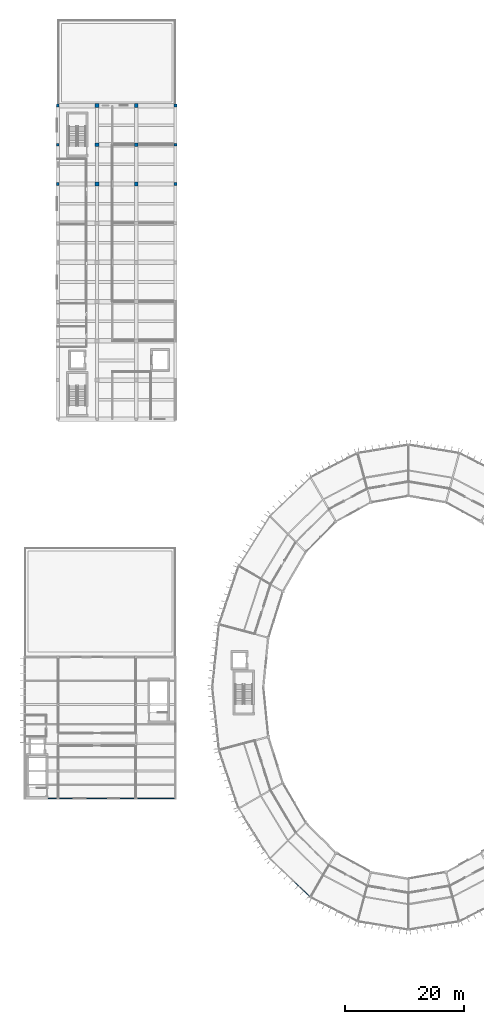
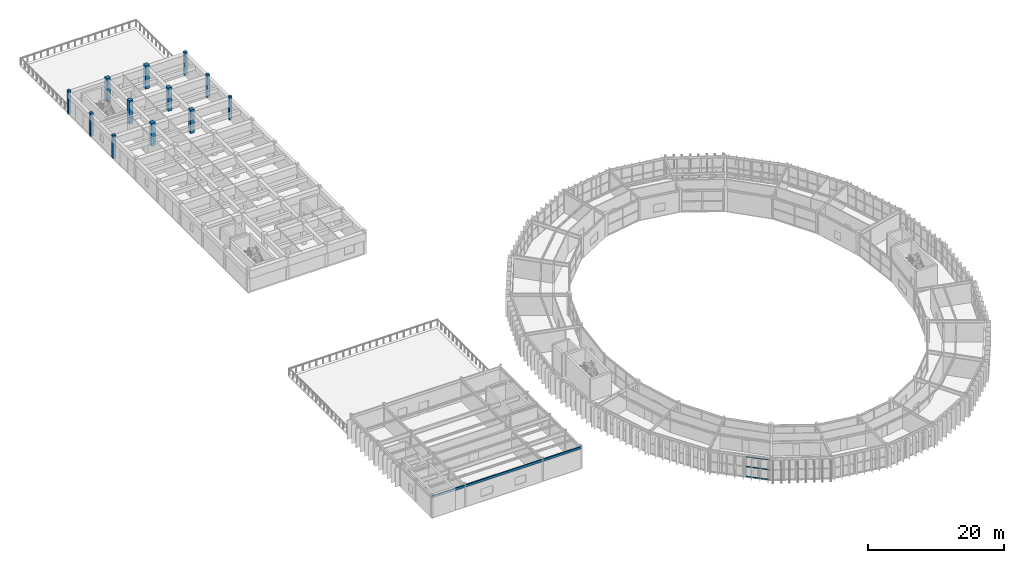
# One storey, part 19 of 130: 12 columns, 6 members, 3 beams, 1 element without a shape of its own.
"""IFC4 building model written with IfcOpenShell, lengths in metres."""

from ifc_helpers import new_model, si_unit, direction, frame, origin, origin_2d, place, context, subcontext, project, spatial, rectangle, hollow_rectangle, extrude, material, material_profile, profile_set, type_object, element, aggregate, save


model = new_model("IFC4")

# Units and contexts
model_context = context("Model", 3, precision=1e-05, world=origin(), true_north=direction((0.0, 1.0)))
body_context = subcontext(model_context, "Body", "Model", "MODEL_VIEW")
ifc_project = project(units=[si_unit("LENGTHUNIT", "METRE"), si_unit("AREAUNIT", "SQUARE_METRE"), si_unit("VOLUMEUNIT", "CUBIC_METRE"), si_unit("PLANEANGLEUNIT", "RADIAN"), si_unit("MASSUNIT", "GRAM", prefix="KILO")], contexts=[model_context])

# Site, building, storey
site_placement = place(None, origin())
site = spatial("IfcSite", under=ifc_project, at=site_placement, CompositionType="ELEMENT")
building_placement = place(site_placement, origin())
building = spatial("IfcBuilding", under=site, at=building_placement, Name="Karori Crest Natural Sciences Institute", CompositionType="ELEMENT")
storey_placement = place(building_placement, frame((0.0, 0.0, 17.5)))
storey = spatial("IfcBuildingStorey", under=building, at=storey_placement, Name="L04", CompositionType="ELEMENT", Elevation=17.5)

# Columns
ifc_material_1 = material(Name="Concrete 50 MPa", Category="concrete")
ifc_material_profile_1 = material_profile(ifc_material_1, rectangle(XDim=0.64990234375, YDim=0.64990234375, at=origin_2d()), Name="RC650x650")
ifc_profile_set_1 = profile_set([ifc_material_profile_1], Name="Concrete 50 MPa")
column_type_1 = type_object("IfcColumnType", Name="CT-19-IL", PredefinedType="COLUMN", material=ifc_profile_set_1)
for number, where, z_axis, x_axis, name in (
    (1, (14.0, 134.60009765625, 0.0), (0.0, 0.0, 1.0), (1.0, 0.0, 0.0), "Column C-0837"),
    (2, (14.0, 141.199951171875, 0.0), (0.0, 0.0, 1.0), (1.0, 0.0, 0.0), "Column C-0844"),
    (3, (14.0, 147.800048828125, 0.0), (0.0, 0.0, 1.0), (1.0, 0.0, 0.0), "Column C-0851"),
    (4, (20.60009765625, 134.60009765625, 0.0), (0.0, 0.0, 1.0), (1.0, 0.0, 0.0), "Column C-0914"),
    (5, (20.60009765625, 141.199951171875, 0.0), (0.0, 0.0, 1.0), (1.0, 0.0, 0.0), "Column C-0921"),
    (6, (20.60009765625, 147.800048828125, 0.0), (0.0, 0.0, 1.0), (1.0, 0.0, 0.0), "Column C-0928"),
):
    element("IfcColumn", number, at=place(storey_placement, frame(where, z_axis=z_axis, x_axis=x_axis)), inside=storey, type_object=column_type_1, Name=name, PredefinedType="COLUMN", context=body_context, shape_type="SweptSolid", body=[
        extrude(rectangle(XDim=0.64990234375, YDim=0.64990234375, at=origin_2d()), origin(), (0.0, 0.0, 1.0), 4.199951171875),
    ])
ifc_material_profile_2 = material_profile(ifc_material_1, rectangle(XDim=0.449951171875, YDim=0.449951171875, at=origin_2d()), Name="RC450x450")
ifc_profile_set_2 = profile_set([ifc_material_profile_2], Name="Concrete 50 MPa")
column_type_2 = type_object("IfcColumnType", Name="CT-23", PredefinedType="PILASTER", material=ifc_profile_set_2)
for number, where, z_axis, x_axis, name in (
    (7, (7.39990234375, 134.60009765625, 0.0), (0.0, 0.0, 1.0), (1.0, 0.0, 0.0), "Column C-0760"),
    (8, (7.39990234375, 141.199951171875, 0.0), (0.0, 0.0, 1.0), (1.0, 0.0, 0.0), "Column C-0767"),
    (9, (7.39990234375, 147.800048828125, 0.0), (0.0, 0.0, 1.0), (1.0, 0.0, 0.0), "Column C-0774"),
    (10, (27.199951171875, 134.60009765625, 0.0), (0.0, 0.0, 1.0), (1.0, 0.0, 0.0), "Column C-0991"),
    (11, (27.199951171875, 141.199951171875, 0.0), (0.0, 0.0, 1.0), (1.0, 0.0, 0.0), "Column C-0998"),
    (12, (27.199951171875, 147.800048828125, 0.0), (0.0, 0.0, 1.0), (1.0, 0.0, 0.0), "Column C-1005"),
):
    element("IfcColumn", number, at=place(storey_placement, frame(where, z_axis=z_axis, x_axis=x_axis)), inside=storey, type_object=column_type_2, Name=name, PredefinedType="PILASTER", context=body_context, shape_type="SweptSolid", body=[
        extrude(rectangle(XDim=0.449951171875, YDim=0.449951171875, at=origin_2d()), origin(), (0.0, 0.0, 1.0), 4.199951171875),
    ])

# Beams
ifc_material_2 = material(Name="Hollow structural steel AS/NZS 1163 Grade C350", Category="steel")
ifc_material_profile_3 = material_profile(ifc_material_2, hollow_rectangle(XDim=0.199951171875, YDim=0.39990234375, WallThickness=0.012451171875, at=origin_2d()), Name="RHS400x200x12.5")
ifc_profile_set_3 = profile_set([ifc_material_profile_3], Name="Hollow structural steel AS/NZS 1163 Grade C350")
beam_type = type_object("IfcBeamType", Name="BT-14", PredefinedType="SPANDREL", material=ifc_profile_set_3)
beam_1_placement = place(storey_placement, frame((1.800048828125, 31.199951171875, 3.719970703125), z_axis=(1.0, 0.0, 0.0), x_axis=(0.0, 1.0, 0.0)))
element("IfcBeam", 13, at=beam_1_placement, inside=storey, type_object=beam_type, Name="Beam B-1207", PredefinedType="SPANDREL", context=body_context, shape_type="SweptSolid", body=[
    extrude(hollow_rectangle(XDim=0.199951171875, YDim=0.39990234375, WallThickness=0.012451171875, at=origin_2d()), origin(), (0.0, 0.0, 1.0), 5.599853515625),
])
beam_2_placement = place(storey_placement, frame((7.39990234375, 31.199951171875, 3.719970703125), z_axis=(1.0, 0.0, 0.0), x_axis=(0.0, 1.0, 0.0)))
element("IfcBeam", 14, at=beam_2_placement, inside=storey, type_object=beam_type, Name="Beam B-1208", PredefinedType="SPANDREL", context=body_context, shape_type="SweptSolid", body=[
    extrude(hollow_rectangle(XDim=0.199951171875, YDim=0.39990234375, WallThickness=0.012451171875, at=origin_2d()), origin(), (0.0, 0.0, 1.0), 13.2001953125),
])
beam_3_placement = place(storey_placement, frame((20.60009765625, 31.199951171875, 3.719970703125), z_axis=(1.0, 0.0, 0.0), x_axis=(0.0, 1.0, 0.0)))
element("IfcBeam", 15, at=beam_3_placement, inside=storey, type_object=beam_type, Name="Beam B-1209", PredefinedType="SPANDREL", context=body_context, shape_type="SweptSolid", body=[
    extrude(hollow_rectangle(XDim=0.199951171875, YDim=0.39990234375, WallThickness=0.012451171875, at=origin_2d()), origin(), (0.0, 0.0, 1.0), 6.599853515625),
])

# Curtain wall, members
ifc_material_3 = material(Name="Anodised architectural aluminium 6063-T6", Category="aluminium")
curtain_wall_type = type_object("IfcCurtainWallType", Name="CWT-06", PredefinedType="NOTDEFINED", material=ifc_material_3)
curtain_wall_placement = place(storey_placement, origin())
curtain_wall = element("IfcCurtainWall", 16, at=curtain_wall_placement, inside=storey, type_object=curtain_wall_type, Name="Curtain wall CW-0159", PredefinedType="NOTDEFINED")
ifc_material_profile_4 = material_profile(ifc_material_3, hollow_rectangle(XDim=0.06005859375, YDim=0.1201171875, WallThickness=0.00390625, at=origin_2d()), Name="CWT120x60x4")
ifc_profile_set_4 = profile_set([ifc_material_profile_4], Name="Anodised architectural aluminium 6063-T6")
member_type = type_object("IfcMemberType", Name="CWT-TR1", PredefinedType="USERDEFINED", material=ifc_profile_set_4)
member_1_placement = place(storey_placement, frame((49.727294921875, 14.72998046875, 0.030029296875), z_axis=(-0.725485539939, 0.68823740914, 0.0), x_axis=(-0.68823740914, -0.725485539939, 0.0)))
member_1 = element("IfcMember", 17, at=member_1_placement, type_object=member_type, Name="CW-0159 transom 1.1", ObjectType="TRANSOM", PredefinedType="USERDEFINED", context=body_context, shape_type="SweptSolid", body=[
    extrude(hollow_rectangle(XDim=0.06005859375, YDim=0.1201171875, WallThickness=0.00390625, at=origin_2d()), origin(), (0.0, 0.0, 1.0), 1.71728515625),
])
member_2_placement = place(storey_placement, frame((49.727294921875, 14.72998046875, 1.8125), z_axis=(-0.725485539939, 0.68823740914, 0.0), x_axis=(-0.68823740914, -0.725485539939, 0.0)))
member_2 = element("IfcMember", 18, at=member_2_placement, type_object=member_type, Name="CW-0159 transom 1.2", ObjectType="TRANSOM", PredefinedType="USERDEFINED", context=body_context, shape_type="SweptSolid", body=[
    extrude(hollow_rectangle(XDim=0.06005859375, YDim=0.1201171875, WallThickness=0.00390625, at=origin_2d()), origin(), (0.0, 0.0, 1.0), 1.71728515625),
])
member_3_placement = place(storey_placement, frame((49.727294921875, 14.72998046875, 3.594970703125), z_axis=(-0.725485539939, 0.68823740914, 0.0), x_axis=(-0.68823740914, -0.725485539939, 0.0)))
member_3 = element("IfcMember", 19, at=member_3_placement, type_object=member_type, Name="CW-0159 transom 1.3", ObjectType="TRANSOM", PredefinedType="USERDEFINED", context=body_context, shape_type="SweptSolid", body=[
    extrude(hollow_rectangle(XDim=0.06005859375, YDim=0.1201171875, WallThickness=0.00390625, at=origin_2d()), origin(), (0.0, 0.0, 1.0), 1.71728515625),
])
member_4_placement = place(storey_placement, frame((48.434326171875, 15.95654296875, 0.030029296875), z_axis=(-0.725420823959, 0.688305621194, 0.0), x_axis=(-0.688305621194, -0.725420823959, 0.0)))
member_4 = element("IfcMember", 20, at=member_4_placement, type_object=member_type, Name="CW-0159 transom 2.1", ObjectType="TRANSOM", PredefinedType="USERDEFINED", context=body_context, shape_type="SweptSolid", body=[
    extrude(hollow_rectangle(XDim=0.06005859375, YDim=0.1201171875, WallThickness=0.00390625, at=origin_2d()), origin(), (0.0, 0.0, 1.0), 1.749755859375),
])
member_5_placement = place(storey_placement, frame((48.434326171875, 15.95654296875, 1.8125), z_axis=(-0.725420823959, 0.688305621194, 0.0), x_axis=(-0.688305621194, -0.725420823959, 0.0)))
member_5 = element("IfcMember", 21, at=member_5_placement, type_object=member_type, Name="CW-0159 transom 2.2", ObjectType="TRANSOM", PredefinedType="USERDEFINED", context=body_context, shape_type="SweptSolid", body=[
    extrude(hollow_rectangle(XDim=0.06005859375, YDim=0.1201171875, WallThickness=0.00390625, at=origin_2d()), origin(), (0.0, 0.0, 1.0), 1.749755859375),
])
member_6_placement = place(storey_placement, frame((48.434326171875, 15.95654296875, 3.594970703125), z_axis=(-0.725420823959, 0.688305621194, 0.0), x_axis=(-0.688305621194, -0.725420823959, 0.0)))
member_6 = element("IfcMember", 22, at=member_6_placement, type_object=member_type, Name="CW-0159 transom 2.3", ObjectType="TRANSOM", PredefinedType="USERDEFINED", context=body_context, shape_type="SweptSolid", body=[
    extrude(hollow_rectangle(XDim=0.06005859375, YDim=0.1201171875, WallThickness=0.00390625, at=origin_2d()), origin(), (0.0, 0.0, 1.0), 1.749755859375),
])
aggregate(curtain_wall, [member_1, member_2, member_3, member_4, member_5, member_6])

save(model, "model.ifc")
